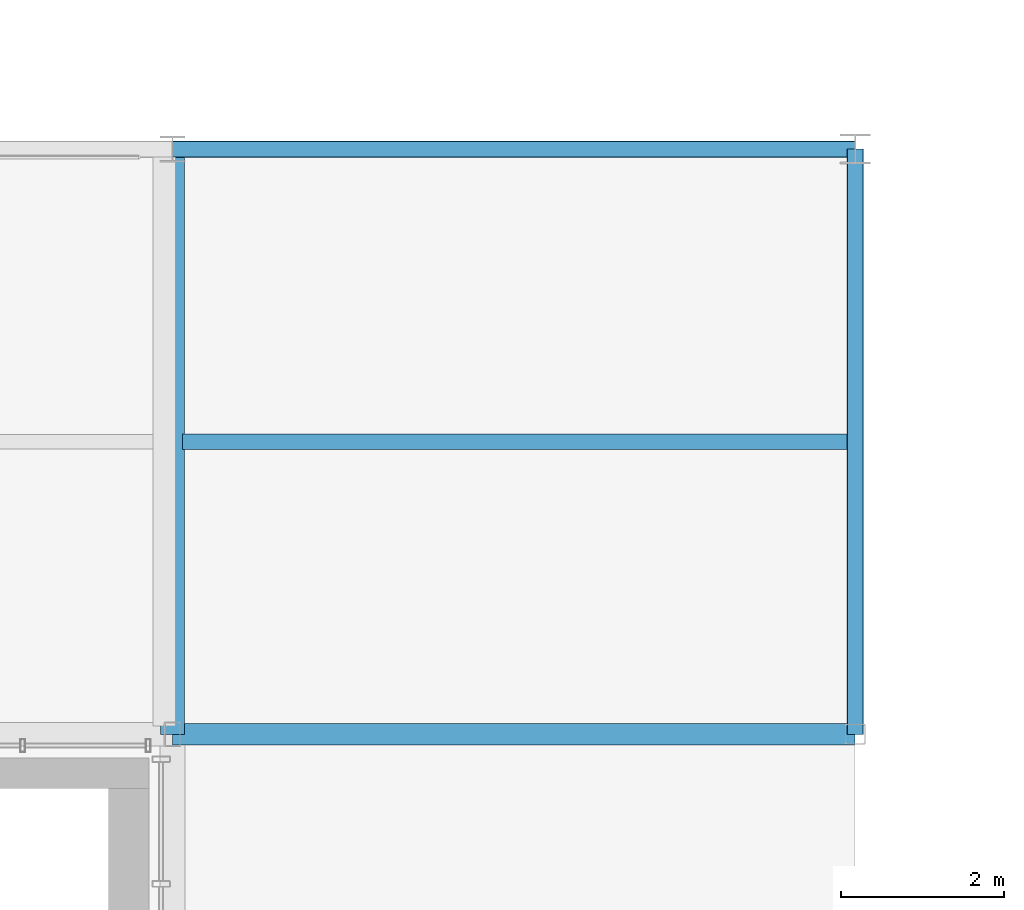
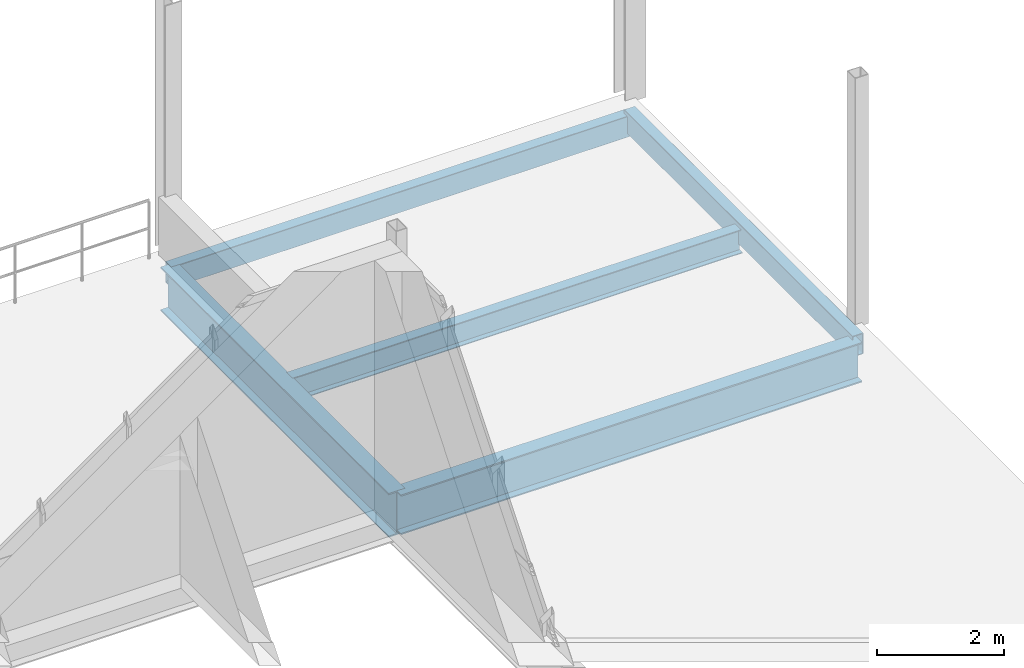
# One storey, part 38 of 81: 5 beams.
"""IFC4 building model written with IfcOpenShell, lengths in metres."""

from ifc_helpers import new_model, si_unit, direction, frame, origin_with_axes, origin_2d_with_axis, place, context, subcontext, project, spatial, hollow_rectangle, i_section, extrude, material, material_profile, profile_set, type_object, element, save


model = new_model("IFC4")

# Units and contexts
model_context = context("Model", 3, precision=1e-05, world=origin_with_axes(), true_north=direction((0.0, 1.0)))
body_context = subcontext(model_context, "Body", "Model", "MODEL_VIEW")
ifc_project = project(units=[si_unit("LENGTHUNIT", "METRE"), si_unit("AREAUNIT", "SQUARE_METRE"), si_unit("VOLUMEUNIT", "CUBIC_METRE"), si_unit("PLANEANGLEUNIT", "RADIAN"), si_unit("MASSUNIT", "GRAM", prefix="KILO"), si_unit("THERMODYNAMICTEMPERATUREUNIT", "KELVIN")], contexts=[model_context])

# Site, building, storey
site_placement = place(None, origin_with_axes())
site = spatial("IfcSite", under=ifc_project, at=site_placement, CompositionType="ELEMENT")
building_placement = place(site_placement, origin_with_axes())
building = spatial("IfcBuilding", under=site, at=building_placement, Name="Montbau Bow Law Courts", CompositionType="ELEMENT")
storey_placement = place(building_placement, frame((0.0, 0.0, 24.9), z_axis=(0.0, 0.0, 1.0), x_axis=(1.0, 0.0, 0.0)))
storey = spatial("IfcBuildingStorey", under=building, at=storey_placement, Name="L05", CompositionType="ELEMENT", Elevation=24.9)

# Beams
ifc_material_1 = material(Name="Steel CSA G40.21 Grade 350W (350 MPa)", Category="steel")
ifc_material_profile_1 = material_profile(ifc_material_1, i_section(OverallWidth=0.293, OverallDepth=0.846, WebThickness=0.0154, FlangeThickness=0.0244, at=origin_2d_with_axis()), Name="W840X210", Category="Main", Priority=0)
ifc_profile_set_1 = profile_set([ifc_material_profile_1], Name="Steel CSA G40.21 Grade 350W (350 MPa)")
beam_type_1 = type_object("IfcBeamType", Name="B-FLR-02", PredefinedType="BEAM", material=ifc_profile_set_1)
beam_1_placement = place(None, frame((88.8, 54.6, 24.157), z_axis=(0.0, 1.0, 0.0), x_axis=(-1.0, 0.0, 0.0)))
element("IfcBeam", 1, at=beam_1_placement, inside=storey, type_object=beam_type_1, Name="BM-L05-S0993:bm2_0996", PredefinedType="BEAM", context=body_context, shape_type="SweptSolid", body=[
    extrude(i_section(OverallWidth=0.293, OverallDepth=0.846, WebThickness=0.0154, FlangeThickness=0.0244, at=origin_2d_with_axis()), origin_with_axes(), (0.0, 0.0, 1.0), 7.2),
])
ifc_material_profile_2 = material_profile(ifc_material_1, i_section(OverallWidth=0.267, OverallDepth=0.766, WebThickness=0.0149, FlangeThickness=0.0236, at=origin_2d_with_axis()), Name="W760X185", Category="Main", Priority=0)
ifc_profile_set_2 = profile_set([ifc_material_profile_2], Name="Steel CSA G40.21 Grade 350W (350 MPa)")
beam_type_2 = type_object("IfcBeamType", Name="B-FLR-03", PredefinedType="BEAM", material=ifc_profile_set_2)
beam_2_placement = place(None, frame((88.8, 54.6, 24.197), z_axis=(1.0, 0.0, 0.0), x_axis=(0.0, 1.0, 0.0)))
element("IfcBeam", 2, at=beam_2_placement, inside=storey, type_object=beam_type_2, Name="BM-L05-S0973:bm2_0976", PredefinedType="BEAM", context=body_context, shape_type="SweptSolid", body=[
    extrude(i_section(OverallWidth=0.267, OverallDepth=0.766, WebThickness=0.0149, FlangeThickness=0.0236, at=origin_2d_with_axis()), origin_with_axes(), (0.0, 0.0, 1.0), 8.4),
])
ifc_material_profile_3 = material_profile(ifc_material_1, i_section(OverallWidth=0.191, OverallDepth=0.46, WebThickness=0.0099, FlangeThickness=0.016, at=origin_2d_with_axis()), Name="W460X82", Category="Main", Priority=0)
ifc_profile_set_3 = profile_set([ifc_material_profile_3], Name="Steel CSA G40.21 Grade 350W (350 MPa)")
beam_type_3 = type_object("IfcBeamType", Name="B-JST-01", PredefinedType="JOIST", material=ifc_profile_set_3)
beam_3_placement = place(None, frame((88.922, 58.2, 24.35), z_axis=(1.0, 0.0, 0.0), x_axis=(0.0, 1.0, 0.0)))
element("IfcBeam", 3, at=beam_3_placement, inside=storey, type_object=beam_type_3, Name="JST-L05-S0508:jst2_0508", PredefinedType="JOIST", context=body_context, shape_type="SweptSolid", body=[
    extrude(i_section(OverallWidth=0.191, OverallDepth=0.46, WebThickness=0.0099, FlangeThickness=0.016, at=origin_2d_with_axis()), origin_with_axes(), (0.0, 0.0, 1.0), 8.198),
])
ifc_material_2 = material(Name="Steel CSA G40.21 Grade 350WT (350 MPa)", Category="steel")
ifc_material_profile_4 = material_profile(ifc_material_2, hollow_rectangle(XDim=0.203, YDim=0.406, WallThickness=0.0127, InnerFilletRadius=0.0254, OuterFilletRadius=0.0127, at=origin_2d_with_axis()), Name="HSS406X203X13", Category="Main", Priority=0)
ifc_profile_set_4 = profile_set([ifc_material_profile_4], Name="Steel CSA G40.21 Grade 350WT (350 MPa)")
beam_type_4 = type_object("IfcBeamType", Name="B-SPN-01", PredefinedType="SPANDREL", material=ifc_profile_set_4)
beam_4_placement = place(None, frame((88.8, 61.8, 24.377), z_axis=(1.0, 0.0, 0.0), x_axis=(0.0, 1.0, 0.0)))
element("IfcBeam", 4, at=beam_4_placement, inside=storey, type_object=beam_type_4, Name="SPN-L05-S0979:bm2_0982", PredefinedType="SPANDREL", context=body_context, shape_type="SweptSolid", body=[
    extrude(hollow_rectangle(XDim=0.203, YDim=0.406, WallThickness=0.0127, InnerFilletRadius=0.0254, OuterFilletRadius=0.0127, at=origin_2d_with_axis()), origin_with_axes(), (0.0, 0.0, 1.0), 8.4),
])
beam_5_placement = place(None, frame((97.2, 54.6, 24.447), z_axis=(0.0, 1.0, 0.0), x_axis=(-1.0, 0.0, 0.0)))
element("IfcBeam", 5, at=beam_5_placement, inside=storey, type_object=beam_type_4, Name="SPN-L05-S0995:bm2_0998", PredefinedType="SPANDREL", context=body_context, shape_type="SweptSolid", body=[
    extrude(hollow_rectangle(XDim=0.203, YDim=0.406, WallThickness=0.0127, InnerFilletRadius=0.0254, OuterFilletRadius=0.0127, at=origin_2d_with_axis()), origin_with_axes(), (0.0, 0.0, 1.0), 7.2),
])

save(model, "model.ifc")
